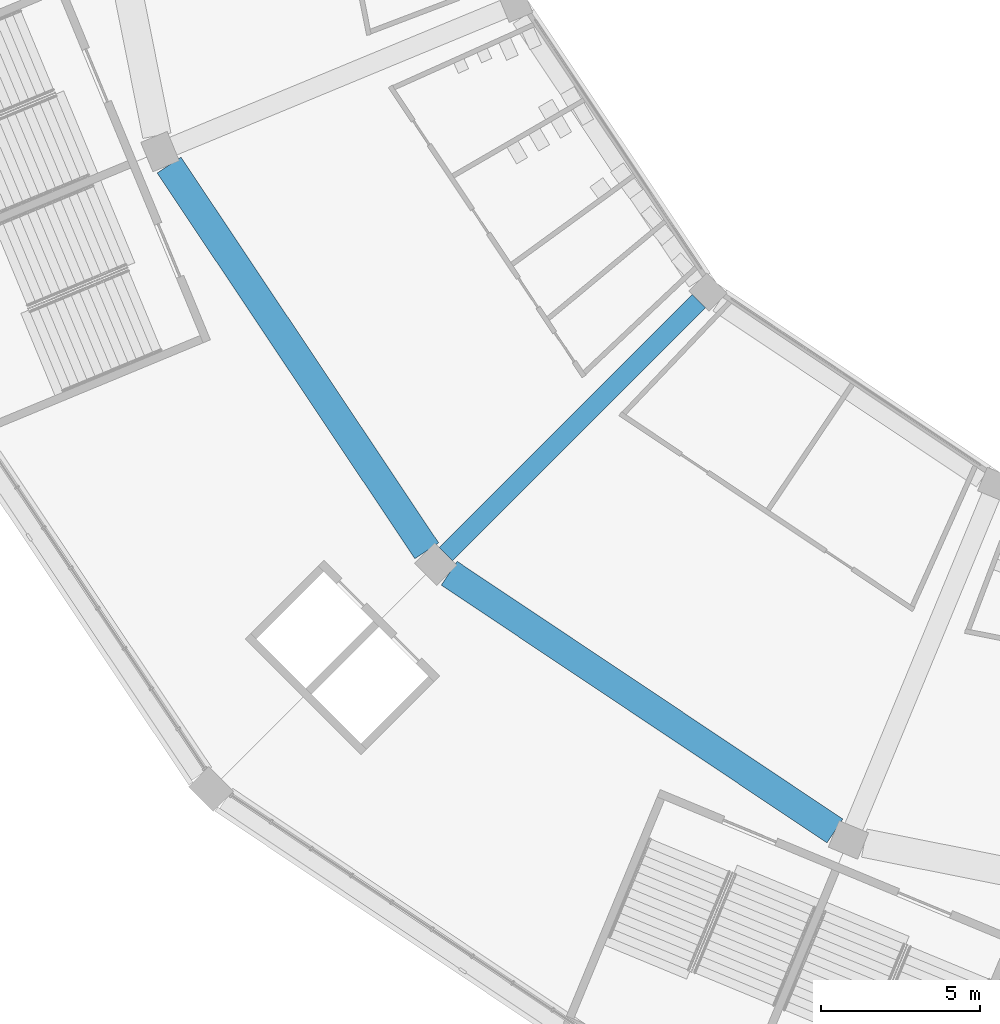
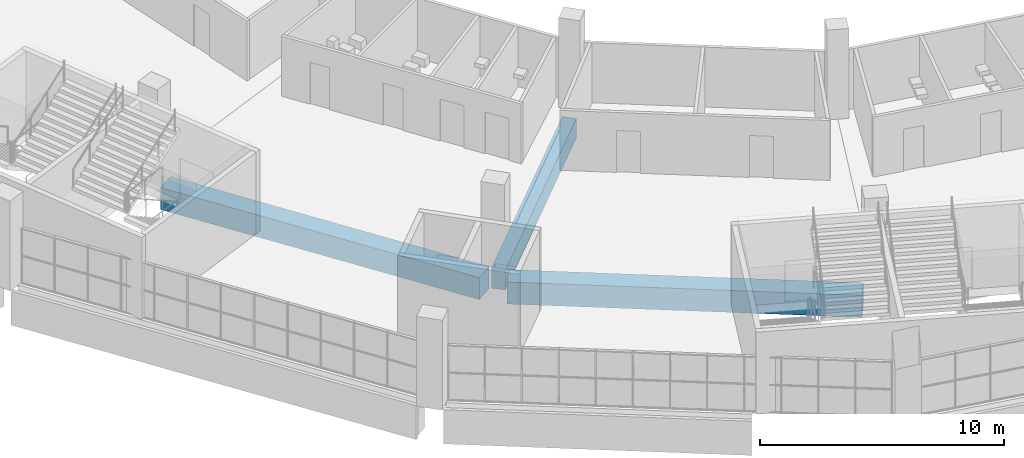
# One storey, part 4 of 199: 3 beams.
"""IFC4 building model written with IfcOpenShell, lengths in metres."""

from ifc_helpers import new_model, si_unit, direction, frame, origin, origin_2d, place, context, subcontext, project, spatial, rectangle, extrude, material, material_profile, profile_set, type_object, element, save


model = new_model("IFC4")

# Units and contexts
model_context = context("Model", 3, precision=1e-05, world=origin(), true_north=direction((0.0, 1.0)))
body_context = subcontext(model_context, "Body", "Model", "MODEL_VIEW")
ifc_project = project(units=[si_unit("LENGTHUNIT", "METRE"), si_unit("AREAUNIT", "SQUARE_METRE"), si_unit("VOLUMEUNIT", "CUBIC_METRE"), si_unit("PLANEANGLEUNIT", "RADIAN"), si_unit("MASSUNIT", "GRAM", prefix="KILO")], contexts=[model_context])

# Site, building, storey
site_placement = place(None, origin())
site = spatial("IfcSite", under=ifc_project, at=site_placement, CompositionType="ELEMENT")
building_placement = place(site_placement, origin())
building = spatial("IfcBuilding", under=site, at=building_placement, Name="Ogive Plaza Stadium", CompositionType="ELEMENT")
storey_placement = place(building_placement, frame((0.0, 0.0, 9.0)))
storey = spatial("IfcBuildingStorey", under=building, at=storey_placement, Name="L02", CompositionType="ELEMENT", Elevation=9.0)

# Beams
ifc_material_1 = material(Name="Concrete C40/50", Category="concrete")
ifc_material_profile_1 = material_profile(ifc_material_1, rectangle(XDim=0.60009765625, YDim=1.0, at=origin_2d()), Name="RC 600x1000")
ifc_profile_set_1 = profile_set([ifc_material_profile_1], Name="Concrete C40/50")
beam_type_1 = type_object("IfcBeamType", Name="RC radial beam 600x1000", PredefinedType="BEAM", material=ifc_profile_set_1)
beam_placement = place(storey_placement, frame((-54.01123046875, -72.51123046875, -0.909912109375), z_axis=(-0.707106781187, -0.707106781187, 0.0), x_axis=(0.707106781187, -0.707106781187, 0.0)))
element("IfcBeam", 1, at=beam_placement, inside=storey, type_object=beam_type_1, Name="Radial beam L02 R19 F3F4", PredefinedType="BEAM", context=body_context, shape_type="SweptSolid", body=[
    extrude(rectangle(XDim=0.60009765625, YDim=1.0, at=origin_2d()), origin(), (0.0, 0.0, 1.0), 11.249755859375),
])
ifc_material_2 = material(Name="Concrete C40/50", Category="concrete")
ifc_material_profile_2 = material_profile(ifc_material_2, rectangle(XDim=0.89990234375, YDim=1.10009765625, at=origin_2d()), Name="RC 900x1100")
ifc_profile_set_2 = profile_set([ifc_material_profile_2], Name="Concrete C40/50")
beam_type_2 = type_object("IfcBeamType", Name="RC ring beam 900x1100", PredefinedType="BEAM", material=ifc_profile_set_2)
for number, where, z_axis, x_axis, name in (
    (2, (-49.731201171875, -89.171875, -0.9599609375), (-0.831467933961, 0.555572744827, 0.0), (-0.555572744827, -0.831467933961, 0.0), "Ring beam F4 L02 B18"),
    (3, (-62.5673828125, -80.3603515625, -0.9599609375), (-0.555572744827, 0.831467933961, 0.0), (-0.831467933961, -0.555572744827, 0.0), "Ring beam F4 L02 B19"),
):
    element("IfcBeam", number, at=place(storey_placement, frame(where, z_axis=z_axis, x_axis=x_axis)), inside=storey, type_object=beam_type_2, Name=name, PredefinedType="BEAM", context=body_context, shape_type="SweptSolid", body=[
        extrude(rectangle(XDim=0.89990234375, YDim=1.10009765625, at=origin_2d()), origin(), (0.0, 0.0, 1.0), 14.587646484375),
    ])

save(model, "model.ifc")
